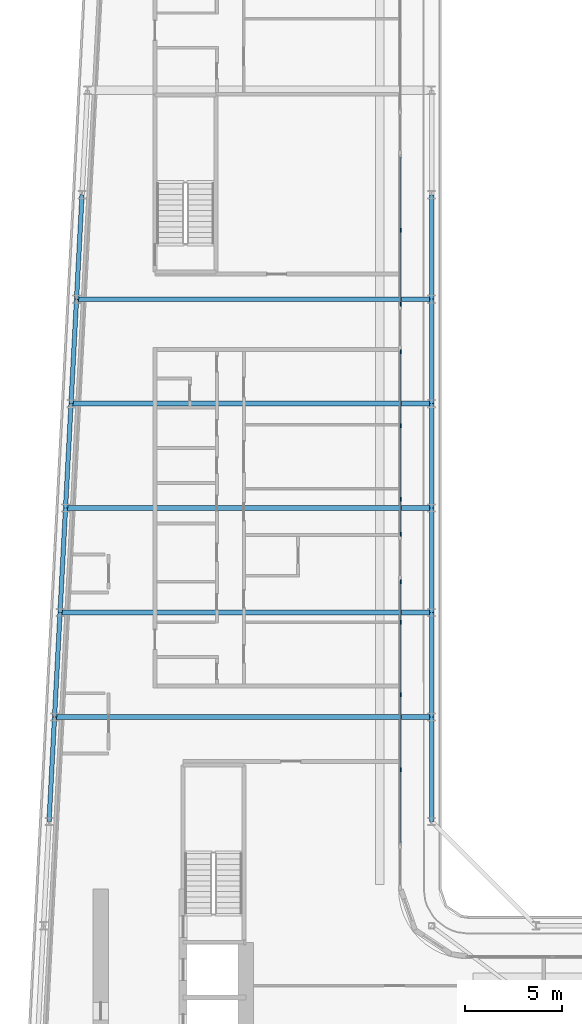
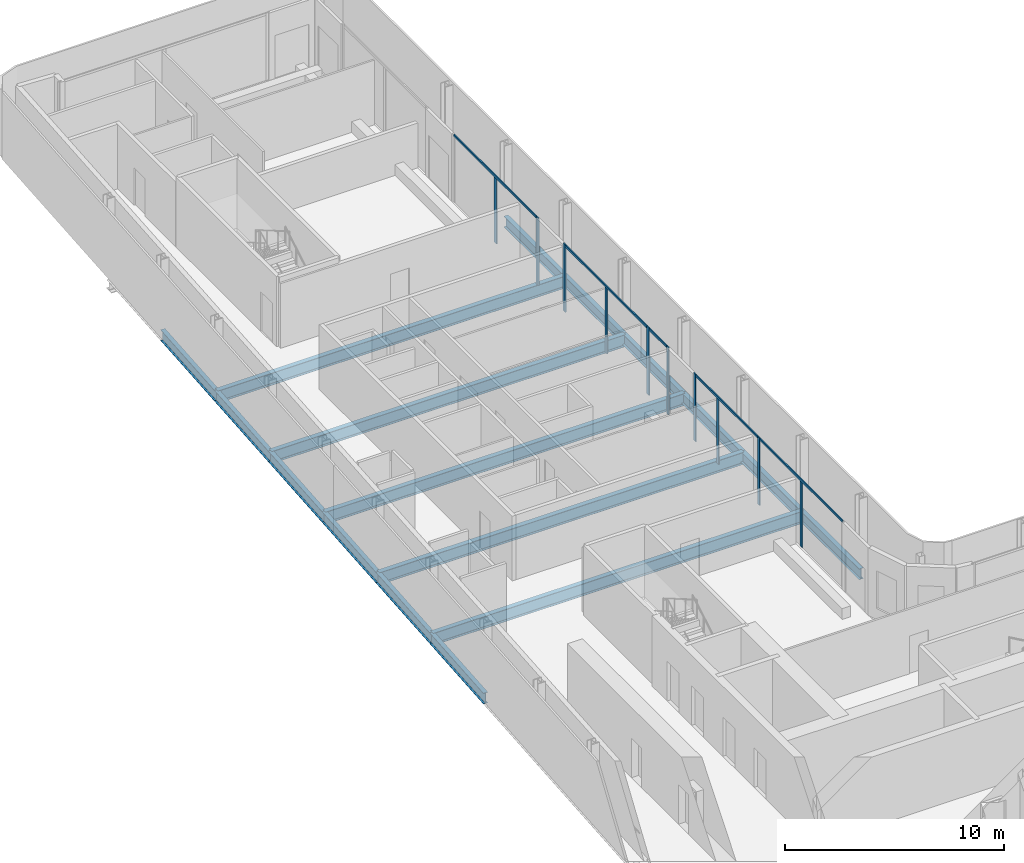
# One storey, part 9 of 30: 17 beams, 15 members, 5 elements without a shape of their own.
"""IFC4 building model written with IfcOpenShell, lengths in metres."""

from ifc_helpers import new_model, si_unit, direction, frame, origin, origin_2d, place, context, subcontext, project, spatial, rectangle, i_section, extrude, material, layer, layer_set, material_profile, profile_set, type_object, element, aggregate, save


model = new_model("IFC4")

# Units and contexts
model_context = context("Model", 3, precision=1e-05, world=origin(), true_north=direction((0.0, 1.0)))
body_context = subcontext(model_context, "Body", "Model", "MODEL_VIEW")
ifc_project = project(units=[si_unit("LENGTHUNIT", "METRE"), si_unit("AREAUNIT", "SQUARE_METRE"), si_unit("VOLUMEUNIT", "CUBIC_METRE"), si_unit("PLANEANGLEUNIT", "RADIAN"), si_unit("MASSUNIT", "GRAM", prefix="KILO")], contexts=[model_context])

# Site, building, storey
site_placement = place(None, origin())
site = spatial("IfcSite", under=ifc_project, at=site_placement, CompositionType="ELEMENT")
building_placement = place(site_placement, origin())
building = spatial("IfcBuilding", under=site, at=building_placement, Name="Kheshtan School and Residences Tower", CompositionType="ELEMENT")
storey_placement = place(building_placement, frame((0.0, 0.0, 164.300048828125)))
storey = spatial("IfcBuildingStorey", under=building, at=storey_placement, Name="L38", CompositionType="ELEMENT", Elevation=164.300048828125)

# Beams
ifc_material_1 = material(Name="Steel ASTM A992 Grade 50", Category="steel")
ifc_material_profile_1 = material_profile(ifc_material_1, i_section(OverallWidth=0.2529296875, OverallDepth=0.677978515625, WebThickness=0.01171875, FlangeThickness=0.016357421875, FilletRadius=0.0146484375, at=origin_2d()), Name="W690x125")
ifc_profile_set_1 = profile_set([ifc_material_profile_1], Name="Steel ASTM A992 Grade 50")
beam_type_1 = type_object("IfcBeamType", Name="Beam FB6 W690x125 ASTM A992 Grade 50", PredefinedType="BEAM", material=ifc_profile_set_1)
beam_1_placement = place(storey_placement, frame((47.60009765625, 78.0, -0.489013671875), z_axis=(-1.0, 0.0, 0.0), x_axis=(0.0, -1.0, 0.0)))
element("IfcBeam", 1, at=beam_1_placement, inside=storey, type_object=beam_type_1, Name="Floor beam C089", PredefinedType="BEAM", context=body_context, shape_type="SweptSolid", body=[
    extrude(i_section(OverallWidth=0.2529296875, OverallDepth=0.677978515625, WebThickness=0.01171875, FlangeThickness=0.016357421875, FilletRadius=0.0146484375, at=origin_2d()), origin(), (0.0, 0.0, 1.0), 18.357177734375),
])
beam_2_placement = place(storey_placement, frame((47.60009765625, 67.199951171875, -0.489013671875), z_axis=(-1.0, 0.0, 0.0), x_axis=(0.0, -1.0, 0.0)))
element("IfcBeam", 2, at=beam_2_placement, inside=storey, type_object=beam_type_1, Name="Floor beam C085", PredefinedType="BEAM", context=body_context, shape_type="SweptSolid", body=[
    extrude(i_section(OverallWidth=0.2529296875, OverallDepth=0.677978515625, WebThickness=0.01171875, FlangeThickness=0.016357421875, FilletRadius=0.0146484375, at=origin_2d()), origin(), (0.0, 0.0, 1.0), 18.926025390625),
])
beam_3_placement = place(storey_placement, frame((47.60009765625, 56.39990234375, -0.489013671875), z_axis=(-1.0, 0.0, 0.0), x_axis=(0.0, -1.0, 0.0)))
element("IfcBeam", 3, at=beam_3_placement, inside=storey, type_object=beam_type_1, Name="Floor beam C081", PredefinedType="BEAM", context=body_context, shape_type="SweptSolid", body=[
    extrude(i_section(OverallWidth=0.2529296875, OverallDepth=0.677978515625, WebThickness=0.01171875, FlangeThickness=0.016357421875, FilletRadius=0.0146484375, at=origin_2d()), origin(), (0.0, 0.0, 1.0), 19.494140625),
])
beam_4_placement = place(storey_placement, frame((28.389892578125, 61.800048828125, -0.489013671875), z_axis=(1.0, 0.0, 0.0), x_axis=(0.0, 1.0, 0.0)))
element("IfcBeam", 4, at=beam_4_placement, inside=storey, type_object=beam_type_1, Name="Floor beam C082", PredefinedType="BEAM", context=body_context, shape_type="SweptSolid", body=[
    extrude(i_section(OverallWidth=0.2529296875, OverallDepth=0.677978515625, WebThickness=0.01171875, FlangeThickness=0.016357421875, FilletRadius=0.0146484375, at=origin_2d()), origin(), (0.0, 0.0, 1.0), 19.210205078125),
])
beam_5_placement = place(storey_placement, frame((28.9580078125, 72.60009765625, -0.489013671875), z_axis=(1.0, 0.0, 0.0), x_axis=(0.0, 1.0, 0.0)))
element("IfcBeam", 5, at=beam_5_placement, inside=storey, type_object=beam_type_1, Name="Floor beam C086", PredefinedType="BEAM", context=body_context, shape_type="SweptSolid", body=[
    extrude(i_section(OverallWidth=0.2529296875, OverallDepth=0.677978515625, WebThickness=0.01171875, FlangeThickness=0.016357421875, FilletRadius=0.0146484375, at=origin_2d()), origin(), (0.0, 0.0, 1.0), 18.64208984375),
])
ifc_material_profile_2 = material_profile(ifc_material_1, i_section(OverallWidth=0.22802734375, OverallDepth=0.60302734375, WebThickness=0.010498046875, FlangeThickness=0.014892578125, FilletRadius=0.013427734375, at=origin_2d()), Name="W610x101")
ifc_profile_set_2 = profile_set([ifc_material_profile_2], Name="Steel ASTM A992 Grade 50")
beam_type_2 = type_object("IfcBeamType", Name="Beam SP2 W610x101 ASTM A992 Grade 50", PredefinedType="BEAM", material=ifc_profile_set_2)
for number, where, z_axis, x_axis, name in (
    (6, (47.60009765625, 83.39990234375, -0.45166015625), (0.0, -1.0, 0.0), (1.0, 0.0, 0.0), "Spandrel beam C091-C089"),
    (7, (47.60009765625, 78.0, -0.45166015625), (0.0, -1.0, 0.0), (1.0, 0.0, 0.0), "Spandrel beam C089-C087"),
):
    element("IfcBeam", number, at=place(storey_placement, frame(where, z_axis=z_axis, x_axis=x_axis)), inside=storey, type_object=beam_type_2, Name=name, PredefinedType="BEAM", context=body_context, shape_type="SweptSolid", body=[
        extrude(i_section(OverallWidth=0.22802734375, OverallDepth=0.60302734375, WebThickness=0.010498046875, FlangeThickness=0.014892578125, FilletRadius=0.013427734375, at=origin_2d()), origin(), (0.0, 0.0, 1.0), 5.39990234375),
    ])
beam_6_placement = place(storey_placement, frame((47.60009765625, 72.60009765625, -0.45166015625), z_axis=(0.0, -1.0, 0.0), x_axis=(1.0, 0.0, 0.0)))
element("IfcBeam", 8, at=beam_6_placement, inside=storey, type_object=beam_type_2, Name="Spandrel beam C087-C085", PredefinedType="BEAM", context=body_context, shape_type="SweptSolid", body=[
    extrude(i_section(OverallWidth=0.22802734375, OverallDepth=0.60302734375, WebThickness=0.010498046875, FlangeThickness=0.014892578125, FilletRadius=0.013427734375, at=origin_2d()), origin(), (0.0, 0.0, 1.0), 5.400146484375),
])
beam_7_placement = place(storey_placement, frame((47.60009765625, 67.199951171875, -0.45166015625), z_axis=(0.0, -1.0, 0.0), x_axis=(1.0, 0.0, 0.0)))
element("IfcBeam", 9, at=beam_7_placement, inside=storey, type_object=beam_type_2, Name="Spandrel beam C085-C083", PredefinedType="BEAM", context=body_context, shape_type="SweptSolid", body=[
    extrude(i_section(OverallWidth=0.22802734375, OverallDepth=0.60302734375, WebThickness=0.010498046875, FlangeThickness=0.014892578125, FilletRadius=0.013427734375, at=origin_2d()), origin(), (0.0, 0.0, 1.0), 5.39990234375),
])
beam_8_placement = place(storey_placement, frame((47.60009765625, 61.800048828125, -0.45166015625), z_axis=(0.0, -1.0, 0.0), x_axis=(1.0, 0.0, 0.0)))
element("IfcBeam", 10, at=beam_8_placement, inside=storey, type_object=beam_type_2, Name="Spandrel beam C083-C081", PredefinedType="BEAM", context=body_context, shape_type="SweptSolid", body=[
    extrude(i_section(OverallWidth=0.22802734375, OverallDepth=0.60302734375, WebThickness=0.010498046875, FlangeThickness=0.014892578125, FilletRadius=0.013427734375, at=origin_2d()), origin(), (0.0, 0.0, 1.0), 5.400146484375),
])
beam_9_placement = place(storey_placement, frame((47.60009765625, 56.39990234375, -0.45166015625), z_axis=(0.0, -1.0, 0.0), x_axis=(1.0, 0.0, 0.0)))
element("IfcBeam", 11, at=beam_9_placement, inside=storey, type_object=beam_type_2, Name="Spandrel beam C081-C079", PredefinedType="BEAM", context=body_context, shape_type="SweptSolid", body=[
    extrude(i_section(OverallWidth=0.22802734375, OverallDepth=0.60302734375, WebThickness=0.010498046875, FlangeThickness=0.014892578125, FilletRadius=0.013427734375, at=origin_2d()), origin(), (0.0, 0.0, 1.0), 5.39990234375),
])
beam_10_placement = place(storey_placement, frame((27.822021484375, 51.0, -0.45166015625), z_axis=(0.05250906864, 0.998620447272, 0.0), x_axis=(-0.998620447272, 0.05250906864, 0.0)))
element("IfcBeam", 12, at=beam_10_placement, inside=storey, type_object=beam_type_2, Name="Spandrel beam C078-C080", PredefinedType="BEAM", context=body_context, shape_type="SweptSolid", body=[
    extrude(i_section(OverallWidth=0.22802734375, OverallDepth=0.60302734375, WebThickness=0.010498046875, FlangeThickness=0.014892578125, FilletRadius=0.013427734375, at=origin_2d()), origin(), (0.0, 0.0, 1.0), 5.407470703125),
])
beam_11_placement = place(storey_placement, frame((28.10595703125, 56.39990234375, -0.45166015625), z_axis=(0.05250670125, 0.998620571751, 0.0), x_axis=(-0.998620571751, 0.05250670125, 0.0)))
element("IfcBeam", 13, at=beam_11_placement, inside=storey, type_object=beam_type_2, Name="Spandrel beam C080-C082", PredefinedType="BEAM", context=body_context, shape_type="SweptSolid", body=[
    extrude(i_section(OverallWidth=0.22802734375, OverallDepth=0.60302734375, WebThickness=0.010498046875, FlangeThickness=0.014892578125, FilletRadius=0.013427734375, at=origin_2d()), origin(), (0.0, 0.0, 1.0), 5.40771484375),
])
beam_12_placement = place(storey_placement, frame((28.389892578125, 61.800048828125, -0.45166015625), z_axis=(0.052554093665, 0.998618078766, 0.0), x_axis=(-0.998618078766, 0.052554093665, 0.0)))
element("IfcBeam", 14, at=beam_12_placement, inside=storey, type_object=beam_type_2, Name="Spandrel beam C082-C084", PredefinedType="BEAM", context=body_context, shape_type="SweptSolid", body=[
    extrude(i_section(OverallWidth=0.22802734375, OverallDepth=0.60302734375, WebThickness=0.010498046875, FlangeThickness=0.014892578125, FilletRadius=0.013427734375, at=origin_2d()), origin(), (0.0, 0.0, 1.0), 5.407470703125),
])
beam_13_placement = place(storey_placement, frame((28.674072265625, 67.199951171875, -0.45166015625), z_axis=(0.05250670125, 0.998620571751, 0.0), x_axis=(-0.998620571751, 0.05250670125, 0.0)))
element("IfcBeam", 15, at=beam_13_placement, inside=storey, type_object=beam_type_2, Name="Spandrel beam C084-C086", PredefinedType="BEAM", context=body_context, shape_type="SweptSolid", body=[
    extrude(i_section(OverallWidth=0.22802734375, OverallDepth=0.60302734375, WebThickness=0.010498046875, FlangeThickness=0.014892578125, FilletRadius=0.013427734375, at=origin_2d()), origin(), (0.0, 0.0, 1.0), 5.40771484375),
])
for number, where, z_axis, x_axis, name in (
    (16, (28.9580078125, 72.60009765625, -0.45166015625), (0.052689166816, 0.998610961136, 0.0), (-0.998610961136, 0.052689166816, 0.0), "Spandrel beam C086-C088"),
    (17, (29.242919921875, 78.0, -0.45166015625), (0.052554093665, 0.998618078766, 0.0), (-0.998618078766, 0.052554093665, 0.0), "Spandrel beam C088-C090"),
):
    element("IfcBeam", number, at=place(storey_placement, frame(where, z_axis=z_axis, x_axis=x_axis)), inside=storey, type_object=beam_type_2, Name=name, PredefinedType="BEAM", context=body_context, shape_type="SweptSolid", body=[
        extrude(i_section(OverallWidth=0.22802734375, OverallDepth=0.60302734375, WebThickness=0.010498046875, FlangeThickness=0.014892578125, FilletRadius=0.013427734375, at=origin_2d()), origin(), (0.0, 0.0, 1.0), 5.407470703125),
    ])

# Curtain wall, members
ifc_material_2 = material(Name="Clear low-e glass in thermally broken aluminium frame", Category="aluminium")
ifc_layer = layer(ifc_material_2, 0.199951171875)
ifc_layer_set = layer_set([ifc_layer], Name="Curtain wall CW-L")
curtain_wall_type = type_object("IfcCurtainWallType", Name="Curtain wall CW-L", PredefinedType="NOTDEFINED", material=ifc_layer_set)
curtain_wall_1_placement = place(storey_placement, origin())
curtain_wall_1 = element("IfcCurtainWall", 18, at=curtain_wall_1_placement, inside=storey, type_object=curtain_wall_type, Name="Curtain wall CWL8", PredefinedType="NOTDEFINED")
ifc_material_3 = material(Name="Thermally broken aluminium, dark bronze anodised", Category="aluminium")
ifc_material_profile_3 = material_profile(ifc_material_3, rectangle(XDim=0.06005859375, YDim=0.199951171875, at=origin_2d()), Name="CW-L mullion 60x200")
ifc_profile_set_3 = profile_set([ifc_material_profile_3], Name="Thermally broken aluminium, dark bronze anodised")
member_type_1 = type_object("IfcMemberType", Name="CW-L mullion 60x200", PredefinedType="MULLION", material=ifc_profile_set_3)
member_1_placement = place(storey_placement, frame((46.0, 81.55908203125, 0.0), z_axis=(0.0, 0.0, 1.0), x_axis=(1.0, 0.0, 0.0)))
member_1 = element("IfcMember", 19, at=member_1_placement, type_object=member_type_1, Name="CWL8 mullion 2", PredefinedType="MULLION", context=body_context, shape_type="SweptSolid", body=[
    extrude(rectangle(XDim=0.06005859375, YDim=0.199951171875, at=origin_2d()), origin(), (0.0, 0.0, 1.0), 3.6298828125),
])
member_2_placement = place(storey_placement, frame((46.0, 77.741943359375, 0.0), z_axis=(0.0, 0.0, 1.0), x_axis=(1.0, 0.0, 0.0)))
member_2 = element("IfcMember", 20, at=member_2_placement, type_object=member_type_1, Name="CWL8 mullion 3", PredefinedType="MULLION", context=body_context, shape_type="SweptSolid", body=[
    extrude(rectangle(XDim=0.06005859375, YDim=0.199951171875, at=origin_2d()), origin(), (0.0, 0.0, 1.0), 3.75),
])

curtain_wall_2_placement = place(storey_placement, origin())
curtain_wall_2 = element("IfcCurtainWall", 21, at=curtain_wall_2_placement, inside=storey, type_object=curtain_wall_type, Name="Curtain wall CWL8", PredefinedType="NOTDEFINED")
member_3_placement = place(storey_placement, frame((46.0, 75.281982421875, 0.0), z_axis=(0.0, 0.0, 1.0), x_axis=(1.0, 0.0, 0.0)))
member_3 = element("IfcMember", 22, at=member_3_placement, type_object=member_type_1, Name="CWL8 mullion 1", PredefinedType="MULLION", context=body_context, shape_type="SweptSolid", body=[
    extrude(rectangle(XDim=0.06005859375, YDim=0.199951171875, at=origin_2d()), origin(), (0.0, 0.0, 1.0), 3.75),
])
member_4_placement = place(storey_placement, frame((46.0, 71.465087890625, 0.0), z_axis=(0.0, 0.0, 1.0), x_axis=(1.0, 0.0, 0.0)))
member_4 = element("IfcMember", 23, at=member_4_placement, type_object=member_type_1, Name="CWL8 mullion 2", PredefinedType="MULLION", context=body_context, shape_type="SweptSolid", body=[
    extrude(rectangle(XDim=0.06005859375, YDim=0.199951171875, at=origin_2d()), origin(), (0.0, 0.0, 1.0), 3.6298828125),
])
member_5_placement = place(storey_placement, frame((46.0, 67.64794921875, 0.0), z_axis=(0.0, 0.0, 1.0), x_axis=(1.0, 0.0, 0.0)))
member_5 = element("IfcMember", 24, at=member_5_placement, type_object=member_type_1, Name="CWL8 mullion 3", PredefinedType="MULLION", context=body_context, shape_type="SweptSolid", body=[
    extrude(rectangle(XDim=0.06005859375, YDim=0.199951171875, at=origin_2d()), origin(), (0.0, 0.0, 1.0), 3.75),
])

# Curtain wall, member
curtain_wall_3_placement = place(storey_placement, origin())
curtain_wall_3 = element("IfcCurtainWall", 25, at=curtain_wall_3_placement, inside=storey, type_object=curtain_wall_type, Name="Curtain wall CWL8e", PredefinedType="NOTDEFINED")
member_6_placement = place(storey_placement, frame((46.0, 65.847900390625, 0.0), z_axis=(0.0, 0.0, 1.0), x_axis=(1.0, 0.0, 0.0)))
member_6 = element("IfcMember", 26, at=member_6_placement, type_object=member_type_1, Name="CWL8e mullion 2", PredefinedType="MULLION", context=body_context, shape_type="SweptSolid", body=[
    extrude(rectangle(XDim=0.06005859375, YDim=0.199951171875, at=origin_2d()), origin(), (0.0, 0.0, 1.0), 3.75),
])

# Curtain wall, members
curtain_wall_4_placement = place(storey_placement, origin())
curtain_wall_4 = element("IfcCurtainWall", 27, at=curtain_wall_4_placement, inside=storey, type_object=curtain_wall_type, Name="Curtain wall CWL8m", PredefinedType="NOTDEFINED")
member_7_placement = place(storey_placement, frame((46.0, 63.387939453125, 0.0), z_axis=(0.0, 0.0, 1.0), x_axis=(1.0, 0.0, 0.0)))
member_7 = element("IfcMember", 28, at=member_7_placement, type_object=member_type_1, Name="CWL8m mullion 1", PredefinedType="MULLION", context=body_context, shape_type="SweptSolid", body=[
    extrude(rectangle(XDim=0.06005859375, YDim=0.199951171875, at=origin_2d()), origin(), (0.0, 0.0, 1.0), 3.75),
])
member_8_placement = place(storey_placement, frame((46.0, 61.300048828125, 0.0), z_axis=(0.0, 0.0, 1.0), x_axis=(1.0, 0.0, 0.0)))
member_8 = element("IfcMember", 29, at=member_8_placement, type_object=member_type_1, Name="CWL8m mullion 2", PredefinedType="MULLION", context=body_context, shape_type="SweptSolid", body=[
    extrude(rectangle(XDim=0.06005859375, YDim=0.199951171875, at=origin_2d()), origin(), (0.0, 0.0, 1.0), 3.6298828125),
])
member_9_placement = place(storey_placement, frame((46.0, 57.553955078125, 0.0), z_axis=(0.0, 0.0, 1.0), x_axis=(1.0, 0.0, 0.0)))
member_9 = element("IfcMember", 30, at=member_9_placement, type_object=member_type_1, Name="CWL8m mullion 3", PredefinedType="MULLION", context=body_context, shape_type="SweptSolid", body=[
    extrude(rectangle(XDim=0.06005859375, YDim=0.199951171875, at=origin_2d()), origin(), (0.0, 0.0, 1.0), 3.75),
])

# Curtain wall, member
curtain_wall_5_placement = place(storey_placement, origin())
curtain_wall_5 = element("IfcCurtainWall", 31, at=curtain_wall_5_placement, inside=storey, type_object=curtain_wall_type, Name="Curtain wall CWL8", PredefinedType="NOTDEFINED")
member_10_placement = place(storey_placement, frame((46.0, 53.677001953125, 0.0), z_axis=(0.0, 0.0, 1.0), x_axis=(1.0, 0.0, 0.0)))
member_10 = element("IfcMember", 32, at=member_10_placement, type_object=member_type_1, Name="CWL8 mullion 2", PredefinedType="MULLION", context=body_context, shape_type="SweptSolid", body=[
    extrude(rectangle(XDim=0.06005859375, YDim=0.199951171875, at=origin_2d()), origin(), (0.0, 0.0, 1.0), 3.6298828125),
])

# Member
ifc_material_profile_4 = material_profile(ifc_material_3, rectangle(XDim=0.06005859375, YDim=0.1201171875, at=origin_2d()), Name="CW-L transom 60x120")
ifc_profile_set_4 = profile_set([ifc_material_profile_4], Name="Thermally broken aluminium, dark bronze anodised")
member_type_2 = type_object("IfcMemberType", Name="CW-L transom 60x120", PredefinedType="USERDEFINED", material=ifc_profile_set_4)
member_11_placement = place(storey_placement, frame((46.0, 85.345947265625, 3.68994140625), z_axis=(0.0, -1.0, 0.0), x_axis=(1.0, 0.0, 0.0)))
member_11 = element("IfcMember", 33, at=member_11_placement, type_object=member_type_2, Name="CWL8 transom 1", ObjectType="TRANSOM", PredefinedType="USERDEFINED", context=body_context, shape_type="SweptSolid", body=[
    extrude(rectangle(XDim=0.06005859375, YDim=0.1201171875, at=origin_2d()), origin(), (0.0, 0.0, 1.0), 7.573974609375),
])

aggregate(curtain_wall_1, [member_1, member_2, member_11])

member_12_placement = place(storey_placement, frame((46.0, 75.251953125, 3.68994140625), z_axis=(0.0, -1.0, 0.0), x_axis=(1.0, 0.0, 0.0)))
member_12 = element("IfcMember", 34, at=member_12_placement, type_object=member_type_2, Name="CWL8 transom 1", ObjectType="TRANSOM", PredefinedType="USERDEFINED", context=body_context, shape_type="SweptSolid", body=[
    extrude(rectangle(XDim=0.06005859375, YDim=0.1201171875, at=origin_2d()), origin(), (0.0, 0.0, 1.0), 7.573974609375),
])

aggregate(curtain_wall_2, [member_3, member_4, member_5, member_12])

member_13_placement = place(storey_placement, frame((46.0, 67.617919921875, 3.68994140625), z_axis=(0.0, -1.0, 0.0), x_axis=(1.0, 0.0, 0.0)))
member_13 = element("IfcMember", 35, at=member_13_placement, type_object=member_type_2, Name="CWL8e transom 1", ObjectType="TRANSOM", PredefinedType="USERDEFINED", context=body_context, shape_type="SweptSolid", body=[
    extrude(rectangle(XDim=0.06005859375, YDim=0.1201171875, at=origin_2d()), origin(), (0.0, 0.0, 1.0), 1.739990234375),
])

aggregate(curtain_wall_3, [member_6, member_13])

member_14_placement = place(storey_placement, frame((46.0, 63.35791015625, 3.68994140625), z_axis=(0.0, -1.0, 0.0), x_axis=(1.0, 0.0, 0.0)))
member_14 = element("IfcMember", 36, at=member_14_placement, type_object=member_type_2, Name="CWL8m transom 1", ObjectType="TRANSOM", PredefinedType="USERDEFINED", context=body_context, shape_type="SweptSolid", body=[
    extrude(rectangle(XDim=0.06005859375, YDim=0.1201171875, at=origin_2d()), origin(), (0.0, 0.0, 1.0), 5.77392578125),
])

aggregate(curtain_wall_4, [member_7, member_8, member_9, member_14])

member_15_placement = place(storey_placement, frame((46.0, 57.52392578125, 3.68994140625), z_axis=(0.0, -1.0, 0.0), x_axis=(1.0, 0.0, 0.0)))
member_15 = element("IfcMember", 37, at=member_15_placement, type_object=member_type_2, Name="CWL8 transom 1", ObjectType="TRANSOM", PredefinedType="USERDEFINED", context=body_context, shape_type="SweptSolid", body=[
    extrude(rectangle(XDim=0.06005859375, YDim=0.1201171875, at=origin_2d()), origin(), (0.0, 0.0, 1.0), 7.634033203125),
])

aggregate(curtain_wall_5, [member_10, member_15])

save(model, "model.ifc")
